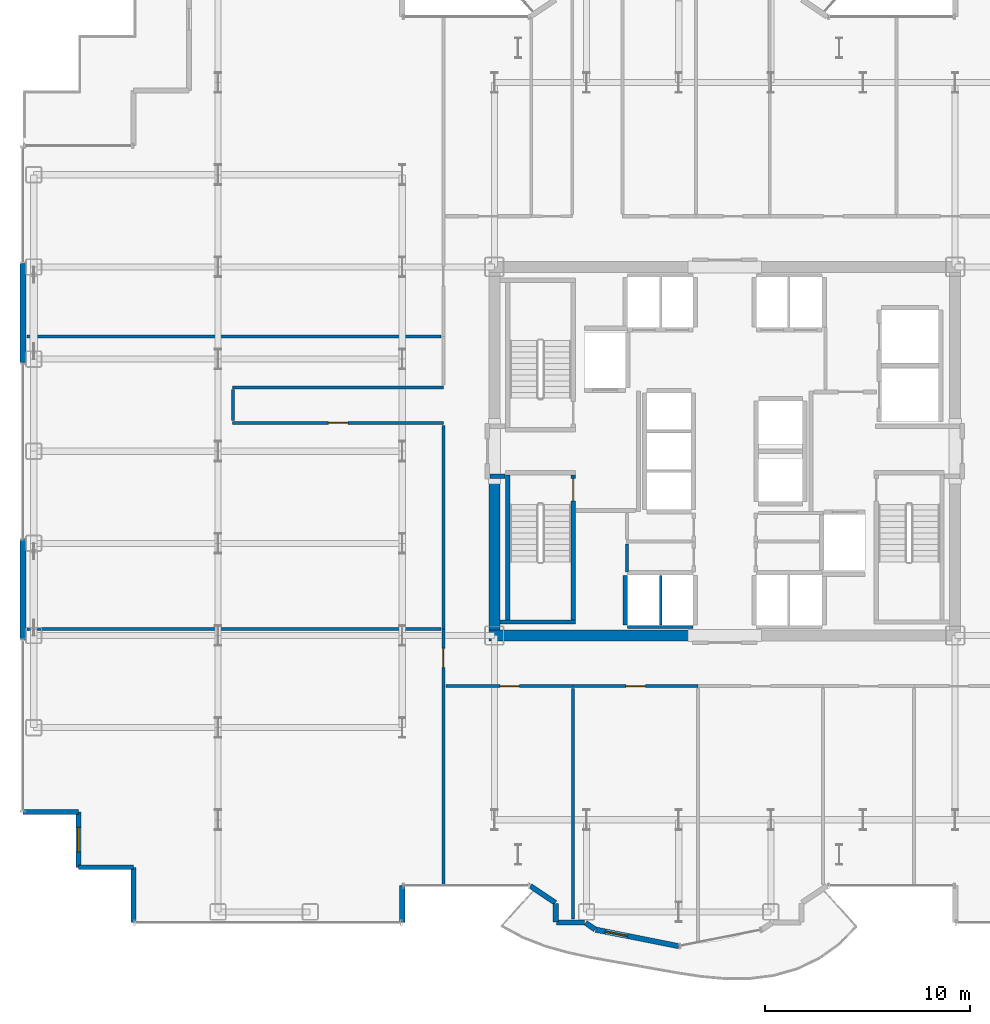
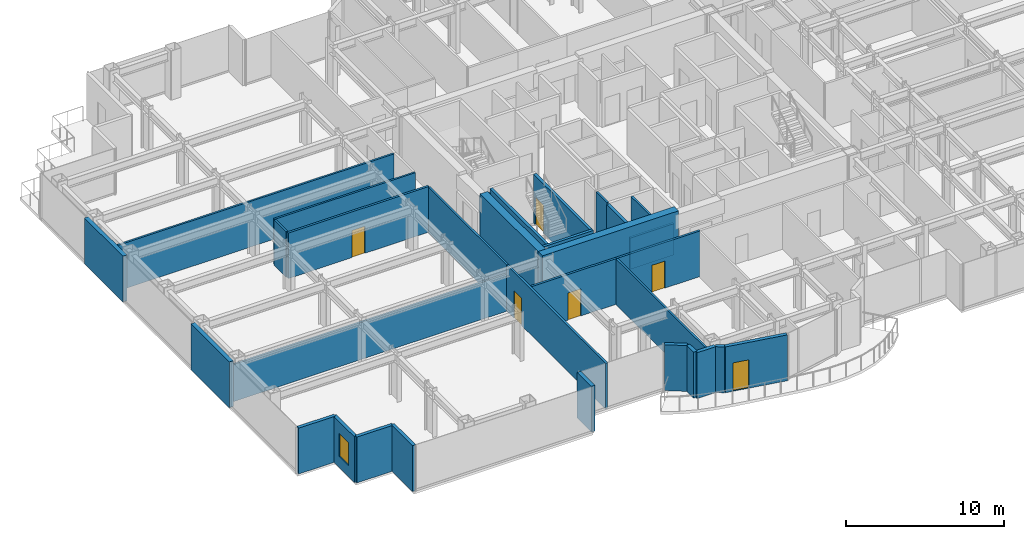
# One storey, part 22 of 29: 32 walls, 6 doors, 1 window, 7 openings.
"""IFC4 building model written with IfcOpenShell, lengths in metres."""

import ifcopenshell
import ifcopenshell.guid

model = None  # the IFC model being written
_history = None  # IfcOwnerHistory: only IFC2X3 demands one
_inside = {}  # id of a spatial element -> (the spatial element, [elements in it])
_under = {}  # id of a project, library or spatial element -> (it, [spatial elements below it])
_declared = {}  # id of a project -> (the project, [libraries it declares])
_typed = {}  # id of a type object -> (the type object, [elements of that type])
_made_of = {}  # id of a material, layer set ... -> (it, [elements and type objects made of it])


def new_model(schema):
    """Start an empty IFC model of exactly this schema.

    Asked for "IFC4X3", IfcOpenShell would pick the latest addendum, in which some entities
    have other attributes; the version numbers below select the first issue.
    IFC2X3 requires an IfcOwnerHistory on every rooted entity: one is made here for all.
    """
    global model, _history
    if schema == "IFC4X3":
        model = ifcopenshell.file(schema_version=(4, 3, 0, 0))
    else:
        model = ifcopenshell.file(schema=schema)
    _inside.clear()
    _under.clear()
    _declared.clear()
    _typed.clear()
    _made_of.clear()
    _history = None
    if model.schema == "IFC2X3":
        org = make("IfcOrganization", Name="unknown")
        user = make(
            "IfcPersonAndOrganization",
            ThePerson=make("IfcPerson", FamilyName="unknown"),
            TheOrganization=org,
        )
        app = make(
            "IfcApplication",
            ApplicationDeveloper=org,
            Version="unknown",
            ApplicationFullName="unknown",
            ApplicationIdentifier="unknown",
        )
        _history = make(
            "IfcOwnerHistory",
            OwningUser=user,
            OwningApplication=app,
            ChangeAction="ADDED",
            CreationDate=0,
        )
    return model


def make(cls, **values):
    """One entity of the class cls with the attributes given. An attribute that is None is left unset."""
    return model.create_entity(
        cls, **{name: value for name, value in values.items() if value is not None}
    )


def rooted(cls, **values):
    """An entity with a GlobalId (a new one), such as an element, a storey or a relation."""
    return make(cls, GlobalId=ifcopenshell.guid.new(), OwnerHistory=_history, **values)


def si_unit(unit_type, name, prefix=None):
    """IfcSIUnit, for example si_unit("LENGTHUNIT", "METRE", prefix="MILLI")."""
    return make("IfcSIUnit", UnitType=unit_type, Prefix=prefix, Name=name)


def assignment(units):
    """IfcUnitAssignment: the units of a project."""
    return None if units is None else make("IfcUnitAssignment", Units=units)


def point(xyz):
    """IfcCartesianPoint."""
    return None if xyz is None else make("IfcCartesianPoint", Coordinates=xyz)


def direction(xyz):
    """IfcDirection."""
    return None if xyz is None else make("IfcDirection", DirectionRatios=xyz)


def frame(location, z_axis=None, x_axis=None):
    """IfcAxis2Placement3D, a coordinate frame: its origin and axes. An axis left out is left unset."""
    return make(
        "IfcAxis2Placement3D",
        Location=point(location),
        Axis=direction(z_axis),
        RefDirection=direction(x_axis),
    )


def frame_2d(location, x_axis=None):
    """IfcAxis2Placement2D, a coordinate frame in the plane: its origin and x axis."""
    return make(
        "IfcAxis2Placement2D", Location=point(location), RefDirection=direction(x_axis)
    )


def origin():
    """The frame at (0, 0, 0) with its axes left unset."""
    return frame((0.0, 0.0, 0.0))


def place(relative_to, where):
    """IfcLocalPlacement: puts the frame where relative to a parent placement (None: the world)."""
    return make(
        "IfcLocalPlacement", PlacementRelTo=relative_to, RelativePlacement=where
    )


def context(
    kind, dimensions, precision=None, world=None, true_north=None, identifier=None
):
    """IfcGeometricRepresentationContext, for example the 3D "Model" context."""
    return make(
        "IfcGeometricRepresentationContext",
        ContextIdentifier=identifier,
        ContextType=kind,
        CoordinateSpaceDimension=dimensions,
        Precision=precision,
        WorldCoordinateSystem=world,
        TrueNorth=true_north,
    )


def subcontext(parent, identifier, kind, view, scale=None):
    """IfcGeometricRepresentationSubContext, for example "Body" below "Model"."""
    return make(
        "IfcGeometricRepresentationSubContext",
        ContextIdentifier=identifier,
        ContextType=kind,
        ParentContext=parent,
        TargetScale=scale,
        TargetView=view,
    )


def project(units=None, contexts=None):
    """IfcProject with its units and contexts."""
    return rooted(
        "IfcProject",
        Name="project",
        RepresentationContexts=contexts,
        UnitsInContext=assignment(units),
    )


def spatial(cls, under=None, at=None, **own):
    """A site, building, storey or space (cls), placed at a placement, below another one or the project."""
    s = rooted(cls, ObjectPlacement=at, **own)
    if under is not None:
        _under.setdefault(under.id(), (under, []))[1].append(s)
    return s


def profile(cls, at=None, kind="AREA", **sizes):
    """A parametric profile (cls). Its sizes go by their IFC names, for example OverallWidth=200.0."""
    return make(cls, ProfileType=kind, Position=at, **sizes)


def rectangle(**sizes):
    """IfcRectangleProfileDef."""
    return profile("IfcRectangleProfileDef", **sizes)


def extrude(swept, where, along, depth):
    """IfcExtrudedAreaSolid: the profile swept, set in the frame where, extruded along a direction by depth."""
    return make(
        "IfcExtrudedAreaSolid",
        SweptArea=swept,
        Position=where,
        ExtrudedDirection=direction(along),
        Depth=depth,
    )


def shape(context_of_items, identifier, shape_type, items):
    """IfcShapeRepresentation: the items that make up one representation, for example the "Body"."""
    return make(
        "IfcShapeRepresentation",
        ContextOfItems=context_of_items,
        RepresentationIdentifier=identifier,
        RepresentationType=shape_type,
        Items=items,
    )


def source(mapping_origin, context_of_items, identifier, shape_type, items):
    """IfcRepresentationMap: a shape defined once, which mapped items show again and again."""
    return make(
        "IfcRepresentationMap",
        MappingOrigin=mapping_origin,
        MappedRepresentation=shape(context_of_items, identifier, shape_type, items),
    )


def transform(
    local_origin,
    x_axis=None,
    y_axis=None,
    z_axis=None,
    scale=None,
    scale2=None,
    scale3=None,
    uniform=True,
):
    """IfcCartesianTransformationOperator3D, or its non-uniform kind. x_axis, y_axis, z_axis: its Axis1, 2, 3."""
    if uniform:
        return make(
            "IfcCartesianTransformationOperator3D",
            Axis1=direction(x_axis),
            Axis2=direction(y_axis),
            LocalOrigin=point(local_origin),
            Scale=scale,
            Axis3=direction(z_axis),
        )
    return make(
        "IfcCartesianTransformationOperator3DnonUniform",
        Axis1=direction(x_axis),
        Axis2=direction(y_axis),
        LocalOrigin=point(local_origin),
        Scale=scale,
        Axis3=direction(z_axis),
        Scale2=scale2,
        Scale3=scale3,
    )


def mapped(mapping_source, mapping_target):
    """IfcMappedItem: shows the shape of a source again, moved by a transform."""
    return make(
        "IfcMappedItem", MappingSource=mapping_source, MappingTarget=mapping_target
    )


def material(Name=None, Category=None):
    """IfcMaterial."""
    return make("IfcMaterial", Name=Name, Category=Category)


def layer(
    of_material, thickness, ventilated=None, Name=None, Category=None, Priority=None
):
    """IfcMaterialLayer: one layer of a wall or slab, of a material (None: an air gap)."""
    return make(
        "IfcMaterialLayer",
        Material=of_material,
        LayerThickness=thickness,
        IsVentilated=ventilated,
        Name=Name,
        Category=Category,
        Priority=Priority,
    )


def layer_set(layers, Name=None):
    """IfcMaterialLayerSet."""
    return make("IfcMaterialLayerSet", MaterialLayers=layers, LayerSetName=Name)


def made_of(thing, what):
    """Note that an element or type object is made of a material, layer set ...; save() writes the relation."""
    if what is not None:
        _made_of.setdefault(what.id(), (what, []))[1].append(thing)
    return thing


def type_object(cls, material=None, **own):
    """A type object (cls), such as IfcWallType, which elements share."""
    return made_of(rooted(cls, **own), material)


def element(
    cls,
    number,
    at=None,
    inside=None,
    cuts=None,
    type_object=None,
    material=None,
    context=None,
    identifier="Body",
    shape_type=None,
    held_by="IfcProductDefinitionShape",
    body=None,
    shapes=None,
    **own,
):
    """One element of the class cls, such as IfcWall. Its Tag is "e" and its number.

    at: its placement. inside: the storey or other place that contains it. cuts: it is an
    opening in that element (IfcRelVoidsElement). A single representation is given by context,
    identifier, shape_type and body (its items); several are given by shapes. held_by: the class
    of the entity that holds the representations. save() writes the other relations.
    """
    e = rooted(cls, Tag="e%d" % number, ObjectPlacement=at, **own)
    if body is not None:
        shapes = [shape(context, identifier, shape_type, body)]
    if shapes is not None:
        e.Representation = make(held_by, Representations=shapes)
    if inside is not None:
        _inside.setdefault(inside.id(), (inside, []))[1].append(e)
    if cuts is not None:
        rooted(
            "IfcRelVoidsElement", RelatingBuildingElement=cuts, RelatedOpeningElement=e
        )
    if type_object is not None:
        _typed.setdefault(type_object.id(), (type_object, []))[1].append(e)
    return made_of(e, material)


def fill(opening, filler):
    """IfcRelFillsElement: the door or window that sits in an opening."""
    return rooted(
        "IfcRelFillsElement",
        RelatingOpeningElement=opening,
        RelatedBuildingElement=filler,
    )


def aggregate(whole, parts):
    """IfcRelAggregates: a whole, such as a stair, and the parts it consists of."""
    return rooted("IfcRelAggregates", RelatingObject=whole, RelatedObjects=parts)


def save(model, path):
    """Write the relations noted so far, then the file.

    IfcRelAggregates (storeys below a building ...), IfcRelContainedInSpatialStructure (elements
    in a storey), IfcRelDefinesByType, IfcRelAssociatesMaterial and IfcRelDeclares: one each for
    every whole, place, type object, material and project.
    """
    for whole, parts in _under.values():
        aggregate(whole, parts)
    for where, things in _inside.values():
        rooted(
            "IfcRelContainedInSpatialStructure",
            RelatedElements=things,
            RelatingStructure=where,
        )
    for kind, things in _typed.values():
        rooted("IfcRelDefinesByType", RelatedObjects=things, RelatingType=kind)
    for what, things in _made_of.values():
        rooted("IfcRelAssociatesMaterial", RelatedObjects=things, RelatingMaterial=what)
    for by, libraries in _declared.values():
        rooted("IfcRelDeclares", RelatingContext=by, RelatedDefinitions=libraries)
    model.write(path)


model = new_model("IFC4")

# Units and contexts
model_context = context("Model", 3, precision=1e-05, world=origin(), true_north=direction((0.0, 1.0)))
body_context = subcontext(model_context, "Body", "Model", "MODEL_VIEW")
ifc_project = project(units=[si_unit("LENGTHUNIT", "METRE"), si_unit("AREAUNIT", "SQUARE_METRE"), si_unit("VOLUMEUNIT", "CUBIC_METRE"), si_unit("PLANEANGLEUNIT", "RADIAN"), si_unit("MASSUNIT", "GRAM", prefix="KILO")], contexts=[model_context])

# Site, building, storey
site_placement = place(None, origin())
site = spatial("IfcSite", under=ifc_project, at=site_placement, CompositionType="ELEMENT")
building_placement = place(site_placement, origin())
building = spatial("IfcBuilding", under=site, at=building_placement, Name="Nefas-Gora Pilgrimage Tower", CompositionType="ELEMENT")
storey_placement = place(building_placement, frame((0.0, 0.0, 125.0)))
storey = spatial("IfcBuildingStorey", under=building, at=storey_placement, Name="L30", CompositionType="ELEMENT", Elevation=125.0)

# Walls
ifc_material_1 = material(Name="Concrete C60/75", Category="concrete")
ifc_layer_1 = layer(ifc_material_1, 0.550048828125)
ifc_layer_set_1 = layer_set([ifc_layer_1], Name="Concrete C60/75")
wall_type_1 = type_object("IfcWallType", Name="SW-CORE-550", PredefinedType="SHEAR", material=ifc_layer_set_1)
shared_shape_1 = source(origin(), body_context, "Body", "SweptSolid", [
    extrude(rectangle(XDim=9.974853515625, YDim=0.550048828125, at=frame_2d((4.9873046875, 0.0))), origin(), (0.0, 0.0, 1.0), 3.800048828125),
])
wall_1_placement = place(storey_placement, frame((-11.52490234375, -9.0, 0.0), z_axis=(0.0, 0.0, 1.0), x_axis=(1.0, 0.0, 0.0)))
element("IfcWall", 1, at=wall_1_placement, inside=storey, type_object=wall_type_1, Name="L30 Core Shear Wall S-West", PredefinedType="SHEAR", context=body_context, shape_type="MappedRepresentation", body=[
    mapped(shared_shape_1, transform((0.0, 0.0, 0.0), x_axis=(1.0, 0.0, 0.0), y_axis=(0.0, 1.0, 0.0), z_axis=(0.0, 0.0, 1.0), scale=1.0)),
])
shared_shape_2 = source(origin(), body_context, "Body", "SweptSolid", [
    extrude(rectangle(XDim=7.375, YDim=0.550048828125, at=frame_2d((3.6875, 0.0))), origin(), (0.0, 0.0, 1.0), 3.800048828125),
])
wall_2_placement = place(storey_placement, frame((-11.25, -8.72509765625, 0.0), z_axis=(0.0, 0.0, 1.0), x_axis=(0.0, 1.0, 0.0)))
element("IfcWall", 2, at=wall_2_placement, inside=storey, type_object=wall_type_1, Name="L30 Core Shear Wall W-South", PredefinedType="SHEAR", context=body_context, shape_type="MappedRepresentation", body=[
    mapped(shared_shape_2, transform((0.0, 0.0, 0.0), x_axis=(1.0, 0.0, 0.0), y_axis=(0.0, 1.0, 0.0), z_axis=(0.0, 0.0, 1.0), scale=1.0)),
])
ifc_material_2 = material(Name="Precast concrete C45/55", Category="concrete")
ifc_layer_2 = layer(ifc_material_2, 0.239990234375)
ifc_layer_set_2 = layer_set([ifc_layer_2], Name="Precast concrete C45/55")
wall_type_2 = type_object("IfcWallType", Name="EW-SERR-240", PredefinedType="SHEAR", material=ifc_layer_set_2)
shared_shape_3 = source(origin(), body_context, "Body", "SweptSolid", [
    extrude(rectangle(XDim=4.8798828125, YDim=0.300048828125, at=frame_2d((2.43994140625, 0.0))), origin(), (0.0, 0.0, 1.0), 3.550048828125),
])
for number, where, z_axis, x_axis, name in (
    (3, (-34.27001953125, -9.18994140625, 0.0), (0.0, 0.0, 1.0), (0.0, 1.0, 0.0), "L30 Braced-Tube Precast Shear Cladding 1"),
    (4, (-34.27001953125, 4.31005859375, 0.0), (0.0, 0.0, 1.0), (0.0, 1.0, 0.0), "L30 Braced-Tube Precast Shear Cladding 2"),
):
    element("IfcWall", number, at=place(storey_placement, frame(where, z_axis=z_axis, x_axis=x_axis)), inside=storey, type_object=wall_type_2, Name=name, PredefinedType="SHEAR", context=body_context, shape_type="MappedRepresentation", body=[
        mapped(shared_shape_3, transform((0.0, 0.0, 0.0), x_axis=(1.0, 0.0, 0.0), y_axis=(0.0, 1.0, 0.0), z_axis=(0.0, 0.0, 1.0), scale=1.0)),
    ])
ifc_material_3 = material(Name="Precast concrete C40/50", Category="concrete")
ifc_layer_3 = layer(ifc_material_3, 0.260009765625)
ifc_layer_set_3 = layer_set([ifc_layer_3], Name="Precast concrete C40/50")
wall_type_3 = type_object("IfcWallType", Name="EW-PORTAL-260", PredefinedType="SOLIDWALL", material=ifc_layer_set_3)
shared_shape_4 = source(origin(), body_context, "Body", "SweptSolid", [
    extrude(rectangle(XDim=1.800048828125, YDim=0.260009765625, at=frame_2d((0.89990234375, 0.0))), origin(), (0.0, 0.0, 1.0), 3.550048828125),
])
wall_3_placement = place(storey_placement, frame((-15.75, -23.02001953125, 0.0), z_axis=(0.0, 0.0, 1.0), x_axis=(0.0, 1.0, 0.0)))
element("IfcWall", 5, at=wall_3_placement, inside=storey, type_object=wall_type_3, Name="L30 Lobe Shoulder Precast Spandrel Pier 32", PredefinedType="SOLIDWALL", context=body_context, shape_type="MappedRepresentation", body=[
    mapped(shared_shape_4, transform((0.0, 0.0, 0.0), x_axis=(1.0, 0.0, 0.0), y_axis=(0.0, 1.0, 0.0), z_axis=(0.0, 0.0, 1.0), scale=1.0)),
])
shared_shape_5 = source(origin(), body_context, "Body", "SweptSolid", [
    extrude(rectangle(XDim=2.699951171875, YDim=0.239990234375, at=frame_2d((1.35009765625, 0.0))), origin(), (0.0, 0.0, 1.0), 3.550048828125),
])
wall_4_placement = place(storey_placement, frame((-34.27001953125, -17.6201171875, 0.0), z_axis=(0.0, 0.0, 1.0), x_axis=(1.0, 0.0, 0.0)))
element("IfcWall", 6, at=wall_4_placement, inside=storey, type_object=wall_type_2, Name="L30 Serrated Corner Shear Pier Wall 28", PredefinedType="SHEAR", context=body_context, shape_type="MappedRepresentation", body=[
    mapped(shared_shape_5, transform((0.0, 0.0, 0.0), x_axis=(1.0, 0.0, 0.0), y_axis=(0.0, 1.0, 0.0), z_axis=(0.0, 0.0, 1.0), scale=1.0)),
])

# Wall, opening, window
wall_5_placement = place(storey_placement, frame((-31.570068359375, -17.6201171875, 0.0), z_axis=(0.0, 0.0, 1.0), x_axis=(0.0, -1.0, 0.0)))
wall_5 = element("IfcWall", 7, at=wall_5_placement, inside=storey, type_object=wall_type_2, Name="L30 Serrated Corner Shear Pier Wall 29", PredefinedType="SHEAR", context=body_context, shape_type="MappedRepresentation", body=[
    mapped(shared_shape_5, transform((0.0, 0.0, 0.0), x_axis=(1.0, 0.0, 0.0), y_axis=(0.0, 1.0, 0.0), z_axis=(0.0, 0.0, 1.0), scale=1.0)),
])
opening_1_placement = place(wall_5_placement, frame((0.75, 0.0, 0.85009765625)))
opening_1 = element("IfcOpeningElement", 8, at=opening_1_placement, cuts=wall_5, Name="Opening W-V1", PredefinedType="OPENING", context=body_context, shape_type="SweptSolid", body=[
    extrude(rectangle(XDim=1.199951171875, YDim=1.800048828125, at=frame_2d((0.60009765625, 0.89990234375))), frame((0.0, 0.1298828125, 0.0), z_axis=(0.0, -1.0, 0.0), x_axis=(1.0, 0.0, 0.0)), (0.0, 0.0, 1.0), 0.260009765625),
])
ifc_material_4 = material(Name="Dark ceramic-fritted operable aluminium-glass window", Category="aluminium")
window_type = type_object("IfcWindowType", Name="WIN-VENT-1200x1800", PartitioningType="SINGLE_PANEL", PredefinedType="WINDOW", material=ifc_material_4)
shared_shape_6 = source(origin(), body_context, "Body", "SweptSolid", [
    extrude(rectangle(XDim=1.199951171875, YDim=1.800048828125, at=frame_2d((0.60009765625, 0.89990234375))), frame((0.0, 0.030029296875, 0.0), z_axis=(0.0, -1.0, 0.0), x_axis=(1.0, 0.0, 0.0)), (0.0, 0.0, 1.0), 0.06005859375),
])
window_placement = place(opening_1_placement, origin())
window = element("IfcWindow", 9, at=window_placement, inside=storey, type_object=window_type, Name="L30 Operable Parallel-Outswing Window 29", OverallHeight=1.800048828125, OverallWidth=1.199951171875, PartitioningType="SINGLE_PANEL", PredefinedType="WINDOW", context=body_context, shape_type="MappedRepresentation", body=[
    mapped(shared_shape_6, transform((0.0, 0.0, 0.0), x_axis=(1.0, 0.0, 0.0), y_axis=(0.0, 1.0, 0.0), z_axis=(0.0, 0.0, 1.0), scale=1.0)),
])
fill(opening_1, window)

# Walls
for number, where, z_axis, x_axis, name in (
    (10, (-31.570068359375, -20.320068359375, 0.0), (0.0, 0.0, 1.0), (1.0, 0.0, 0.0), "L30 Serrated Corner Shear Pier Wall 30"),
    (11, (-28.8701171875, -20.320068359375, 0.0), (0.0, 0.0, 1.0), (0.0, -1.0, 0.0), "L30 Serrated Corner Shear Pier Wall 31"),
):
    element("IfcWall", number, at=place(storey_placement, frame(where, z_axis=z_axis, x_axis=x_axis)), inside=storey, type_object=wall_type_2, Name=name, PredefinedType="SHEAR", context=body_context, shape_type="MappedRepresentation", body=[
        mapped(shared_shape_5, transform((0.0, 0.0, 0.0), x_axis=(1.0, 0.0, 0.0), y_axis=(0.0, 1.0, 0.0), z_axis=(0.0, 0.0, 1.0), scale=1.0)),
    ])
shared_shape_7 = source(origin(), body_context, "Body", "SweptSolid", [
    extrude(rectangle(XDim=1.468994140625, YDim=0.260009765625, at=frame_2d((0.734375, 0.0))), origin(), (0.0, 0.0, 1.0), 3.550048828125),
])
wall_6_placement = place(storey_placement, frame((-9.49462890625, -21.235595703125, 0.0), z_axis=(0.0, 0.0, 1.0), x_axis=(0.831461760506, -0.555581983884, 0.0)))
element("IfcWall", 12, at=wall_6_placement, inside=storey, type_object=wall_type_3, Name="L30 Lobe Shoulder Precast Spandrel Pier 33", PredefinedType="SOLIDWALL", context=body_context, shape_type="MappedRepresentation", body=[
    mapped(shared_shape_7, transform((0.0, 0.0, 0.0), x_axis=(1.0, 0.0, 0.0), y_axis=(0.0, 1.0, 0.0), z_axis=(0.0, 0.0, 1.0), scale=1.0)),
])
shared_shape_8 = source(origin(), body_context, "Body", "SweptSolid", [
    extrude(rectangle(XDim=0.896728515625, YDim=0.260009765625, at=frame_2d((0.4482421875, 0.0))), origin(), (0.0, 0.0, 1.0), 3.550048828125),
])
wall_7_placement = place(storey_placement, frame((-8.25, -22.09521484375, 0.0), z_axis=(0.0, 0.0, 1.0), x_axis=(0.0, -1.0, 0.0)))
element("IfcWall", 13, at=wall_7_placement, inside=storey, type_object=wall_type_3, Name="L30 Lobe Shoulder Precast Spandrel Pier 34", PredefinedType="SOLIDWALL", context=body_context, shape_type="MappedRepresentation", body=[
    mapped(shared_shape_8, transform((0.0, 0.0, 0.0), x_axis=(1.0, 0.0, 0.0), y_axis=(0.0, 1.0, 0.0), z_axis=(0.0, 0.0, 1.0), scale=1.0)),
])
shared_shape_9 = source(origin(), body_context, "Body", "SweptSolid", [
    extrude(rectangle(XDim=1.369873046875, YDim=0.260009765625, at=frame_2d((0.68505859375, 0.0))), origin(), (0.0, 0.0, 1.0), 3.550048828125),
])
wall_8_placement = place(storey_placement, frame((-8.221923828125, -23.02001953125, 0.0), z_axis=(0.0, 0.0, 1.0), x_axis=(1.0, 0.0, 0.0)))
element("IfcWall", 14, at=wall_8_placement, inside=storey, type_object=wall_type_3, Name="L30 Lobe Shoulder Precast Spandrel Pier 35", PredefinedType="SOLIDWALL", context=body_context, shape_type="MappedRepresentation", body=[
    mapped(shared_shape_9, transform((0.0, 0.0, 0.0), x_axis=(1.0, 0.0, 0.0), y_axis=(0.0, 1.0, 0.0), z_axis=(0.0, 0.0, 1.0), scale=1.0)),
])
shared_shape_10 = source(origin(), body_context, "Body", "SweptSolid", [
    extrude(rectangle(XDim=0.5654296875, YDim=0.260009765625, at=frame_2d((0.28271484375, 0.0))), origin(), (0.0, 0.0, 1.0), 3.550048828125),
])
wall_9_placement = place(storey_placement, frame((-6.80078125, -23.03564453125, 0.0), z_axis=(0.0, 0.0, 1.0), x_axis=(0.831651492666, -0.555297933317, 0.0)))
element("IfcWall", 15, at=wall_9_placement, inside=storey, type_object=wall_type_3, Name="L30 Lobe Shoulder Precast Spandrel Pier 36", PredefinedType="SOLIDWALL", context=body_context, shape_type="MappedRepresentation", body=[
    mapped(shared_shape_10, transform((0.0, 0.0, 0.0), x_axis=(1.0, 0.0, 0.0), y_axis=(0.0, 1.0, 0.0), z_axis=(0.0, 0.0, 1.0), scale=1.0)),
])

# Wall, opening, door
shared_shape_11 = source(origin(), body_context, "Body", "SweptSolid", [
    extrude(rectangle(XDim=4.136962890625, YDim=0.260009765625, at=frame_2d((2.068359375, 0.0))), origin(), (0.0, 0.0, 1.0), 3.550048828125),
])
wall_10_placement = place(storey_placement, frame((-6.307373046875, -23.365234375, 0.0), z_axis=(0.0, 0.0, 1.0), x_axis=(0.980782170794, -0.195105954428, 0.0)))
wall_10 = element("IfcWall", 16, at=wall_10_placement, inside=storey, type_object=wall_type_3, Name="L30 Insulated Terrace Portal Wall 37", PredefinedType="SOLIDWALL", context=body_context, shape_type="MappedRepresentation", body=[
    mapped(shared_shape_11, transform((0.0, 0.0, 0.0), x_axis=(1.0, 0.0, 0.0), y_axis=(0.0, 1.0, 0.0), z_axis=(0.0, 0.0, 1.0), scale=1.0)),
])
opening_2_placement = place(wall_10_placement, frame((0.48779296875, 0.0, 0.0)))
opening_2 = element("IfcOpeningElement", 17, at=opening_2_placement, cuts=wall_10, Name="Opening ED-B1", PredefinedType="OPENING", context=body_context, shape_type="SweptSolid", body=[
    extrude(rectangle(XDim=1.10009765625, YDim=2.199951171875, at=frame_2d((0.550048828125, 1.10009765625))), frame((0.0, 0.139892578125, 0.0), z_axis=(0.0, -1.0, 0.0), x_axis=(1.0, 0.0, 0.0)), (0.0, 0.0, 1.0), 0.280029296875),
])
ifc_material_5 = material(Name="Thermally broken glazed aluminium balcony door", Category="aluminium")
door_type_1 = type_object("IfcDoorType", Name="DR-EXT-BAL-1100", OperationType="NOTDEFINED", PredefinedType="DOOR", material=ifc_material_5)
shared_shape_12 = source(origin(), body_context, "Body", "SweptSolid", [
    extrude(rectangle(XDim=1.10009765625, YDim=2.199951171875, at=frame_2d((0.550048828125, 1.10009765625))), frame((0.0, 0.02490234375, 0.0), z_axis=(0.0, -1.0, 0.0), x_axis=(1.0, 0.0, 0.0)), (0.0, 0.0, 1.0), 0.050048828125),
])
door_1_placement = place(opening_2_placement, origin())
door_1 = element("IfcDoor", 18, at=door_1_placement, inside=storey, type_object=door_type_1, Name="L30 Exterior Door (L30 S Lobe Wave Balcony)", OperationType="SINGLE_SWING_RIGHT", OverallHeight=2.199951171875, OverallWidth=1.10009765625, PredefinedType="DOOR", context=body_context, shape_type="MappedRepresentation", body=[
    mapped(shared_shape_12, transform((0.0, 0.0, 0.0), x_axis=(1.0, 0.0, 0.0), y_axis=(0.0, 1.0, 0.0), z_axis=(0.0, 0.0, 1.0), scale=1.0)),
])
fill(opening_2, door_1)

# Wall
ifc_material_6 = material(Name="Concrete C45/55", Category="concrete")
ifc_layer_4 = layer(ifc_material_6, 0.199951171875)
ifc_layer_set_4 = layer_set([ifc_layer_4], Name="Concrete C45/55")
wall_type_4 = type_object("IfcWallType", Name="IW-STAIR-200", PredefinedType="SOLIDWALL", material=ifc_layer_set_4)
shared_shape_13 = source(origin(), body_context, "Body", "SweptSolid", [
    extrude(rectangle(XDim=7.10009765625, YDim=0.199951171875, at=frame_2d((3.550048828125, 0.0))), origin(), (0.0, 0.0, 1.0), 3.800048828125),
])
wall_11_placement = place(storey_placement, frame((-10.60009765625, -1.14990234375, 0.0), z_axis=(0.0, 0.0, 1.0), x_axis=(0.0, -1.0, 0.0)))
element("IfcWall", 19, at=wall_11_placement, inside=storey, type_object=wall_type_4, Name="L30 Stairwell Shear Wall ST-03-left", PredefinedType="SOLIDWALL", context=body_context, shape_type="MappedRepresentation", body=[
    mapped(shared_shape_13, transform((0.0, 0.0, 0.0), x_axis=(1.0, 0.0, 0.0), y_axis=(0.0, 1.0, 0.0), z_axis=(0.0, 0.0, 1.0), scale=1.0)),
])

# Wall, opening, door
wall_12_placement = place(storey_placement, frame((-7.39990234375, -1.14990234375, 0.0), z_axis=(0.0, 0.0, 1.0), x_axis=(0.0, -1.0, 0.0)))
wall_12 = element("IfcWall", 20, at=wall_12_placement, inside=storey, type_object=wall_type_4, Name="L30 Stairwell Shear Wall ST-03-right", PredefinedType="SOLIDWALL", context=body_context, shape_type="MappedRepresentation", body=[
    mapped(shared_shape_13, transform((0.0, 0.0, 0.0), x_axis=(1.0, 0.0, 0.0), y_axis=(0.0, 1.0, 0.0), z_axis=(0.0, 0.0, 1.0), scale=1.0)),
])
opening_3_placement = place(wall_12_placement, frame((0.179931640625, 0.0, 0.0)))
opening_3 = element("IfcOpeningElement", 21, at=opening_3_placement, cuts=wall_12, Name="Opening ID-ST1", PredefinedType="OPENING", context=body_context, shape_type="SweptSolid", body=[
    extrude(rectangle(XDim=1.10009765625, YDim=2.14990234375, at=frame_2d((0.550048828125, 1.074951171875))), frame((0.0, 0.10986328125, 0.0), z_axis=(0.0, -1.0, 0.0), x_axis=(1.0, 0.0, 0.0)), (0.0, 0.0, 1.0), 0.219970703125),
])
ifc_material_7 = material(Name="Painted galvanised steel fire stair door", Category="steel")
door_type_2 = type_object("IfcDoorType", Name="DR-INT-STAIR-1100", OperationType="NOTDEFINED", PredefinedType="DOOR", material=ifc_material_7)
shared_shape_14 = source(origin(), body_context, "Body", "SweptSolid", [
    extrude(rectangle(XDim=1.10009765625, YDim=2.14990234375, at=frame_2d((0.550048828125, 1.074951171875))), frame((0.0, 0.02490234375, 0.0), z_axis=(0.0, -1.0, 0.0), x_axis=(1.0, 0.0, 0.0)), (0.0, 0.0, 1.0), 0.050048828125),
])
door_2_placement = place(opening_3_placement, origin())
door_2 = element("IfcDoor", 22, at=door_2_placement, inside=storey, type_object=door_type_2, Name="L30 Protected Exit Stair Door ST-03", OperationType="SINGLE_SWING_RIGHT", OverallHeight=2.14990234375, OverallWidth=1.10009765625, PredefinedType="DOOR", context=body_context, shape_type="MappedRepresentation", body=[
    mapped(shared_shape_14, transform((0.0, 0.0, 0.0), x_axis=(1.0, 0.0, 0.0), y_axis=(0.0, 1.0, 0.0), z_axis=(0.0, 0.0, 1.0), scale=1.0)),
])
fill(opening_3, door_2)

# Walls
shared_shape_15 = source(origin(), body_context, "Body", "SweptSolid", [
    extrude(rectangle(XDim=3.679931640625, YDim=0.199951171875, at=frame_2d((1.83984375, 0.0))), origin(), (0.0, 0.0, 1.0), 3.800048828125),
])
wall_13_placement = place(storey_placement, frame((-10.97998046875, -8.35009765625, 0.0), z_axis=(0.0, 0.0, 1.0), x_axis=(1.0, 0.0, 0.0)))
element("IfcWall", 23, at=wall_13_placement, inside=storey, type_object=wall_type_4, Name="L30 Stairwell Shear Wall ST-03-far", PredefinedType="SOLIDWALL", context=body_context, shape_type="MappedRepresentation", body=[
    mapped(shared_shape_15, transform((0.0, 0.0, 0.0), x_axis=(1.0, 0.0, 0.0), y_axis=(0.0, 1.0, 0.0), z_axis=(0.0, 0.0, 1.0), scale=1.0)),
])
ifc_material_8 = material(Name="Gypsum acoustic stud partition")
ifc_layer_5 = layer(ifc_material_8, 0.159912109375)
ifc_layer_set_5 = layer_set([ifc_layer_5], Name="Gypsum acoustic stud partition")
wall_type_5 = type_object("IfcWallType", Name="IW-CORR-160", PredefinedType="PARTITIONING", material=ifc_layer_set_5)
shared_shape_16 = source(origin(), body_context, "Body", "SweptSolid", [
    extrude(rectangle(XDim=3.199951171875, YDim=0.159912109375, at=frame_2d((1.60009765625, 0.0))), origin(), (0.0, 0.0, 1.0), 2.425048828125),
])
wall_14_placement = place(storey_placement, frame((-4.75, -8.580078125, 0.0), z_axis=(0.0, 0.0, 1.0), x_axis=(1.0, 0.0, 0.0)))
element("IfcWall", 24, at=wall_14_placement, inside=storey, type_object=wall_type_5, Name="L30 Hoistway Wall PL2-W-S", PredefinedType="PARTITIONING", context=body_context, shape_type="MappedRepresentation", body=[
    mapped(shared_shape_16, transform((0.0, 0.0, 0.0), x_axis=(1.0, 0.0, 0.0), y_axis=(0.0, 1.0, 0.0), z_axis=(0.0, 0.0, 1.0), scale=1.0)),
])
ifc_material_9 = material(Name="Concrete C40/50", Category="concrete")
ifc_layer_6 = layer(ifc_material_9, 0.219970703125)
ifc_layer_set_6 = layer_set([ifc_layer_6], Name="Concrete C40/50")
wall_type_6 = type_object("IfcWallType", Name="IW-SHAFT-220", PredefinedType="SOLIDWALL", material=ifc_layer_set_6)
shared_shape_17 = source(origin(), body_context, "Body", "SweptSolid", [
    extrude(rectangle(XDim=2.429931640625, YDim=0.219970703125, at=frame_2d((1.21484375, 0.0))), origin(), (0.0, 0.0, 1.0), 3.534912109375),
])
wall_15_placement = place(storey_placement, frame((-4.860107421875, -6.06005859375, 0.0), z_axis=(0.0, 0.0, 1.0), x_axis=(0.0, -1.0, 0.0)))
element("IfcWall", 25, at=wall_15_placement, inside=storey, type_object=wall_type_6, Name="L30 Hoistway Wall PL2-W-W", PredefinedType="SOLIDWALL", context=body_context, shape_type="MappedRepresentation", body=[
    mapped(shared_shape_17, transform((0.0, 0.0, 0.0), x_axis=(1.0, 0.0, 0.0), y_axis=(0.0, 1.0, 0.0), z_axis=(0.0, 0.0, 1.0), scale=1.0)),
])
ifc_material_10 = material(Name="Gypsum twin-stud partition")
ifc_layer_7 = layer(ifc_material_10, 0.139892578125)
ifc_layer_set_7 = layer_set([ifc_layer_7], Name="Gypsum twin-stud partition")
wall_type_7 = type_object("IfcWallType", Name="IW-UNIT-140", PredefinedType="PARTITIONING", material=ifc_layer_set_7)
shared_shape_18 = source(origin(), body_context, "Body", "SweptSolid", [
    extrude(rectangle(XDim=2.429931640625, YDim=0.139892578125, at=frame_2d((1.21484375, 0.0))), origin(), (0.0, 0.0, 1.0), 3.534912109375),
])
wall_16_placement = place(storey_placement, frame((-3.125, -8.489990234375, 0.0), z_axis=(0.0, 0.0, 1.0), x_axis=(0.0, 1.0, 0.0)))
element("IfcWall", 26, at=wall_16_placement, inside=storey, type_object=wall_type_7, Name="L30 Hoistway Wall PL2-W-DIV", PredefinedType="PARTITIONING", context=body_context, shape_type="MappedRepresentation", body=[
    mapped(shared_shape_18, transform((0.0, 0.0, 0.0), x_axis=(1.0, 0.0, 0.0), y_axis=(0.0, 1.0, 0.0), z_axis=(0.0, 0.0, 1.0), scale=1.0)),
])
ifc_material_11 = material(Name="Gypsum fire-rated shaftwall")
ifc_layer_8 = layer(ifc_material_11, 0.199951171875)
ifc_layer_set_8 = layer_set([ifc_layer_8], Name="Gypsum fire-rated shaftwall")
wall_type_8 = type_object("IfcWallType", Name="IW-FFLOB-200", PredefinedType="PARTITIONING", material=ifc_layer_set_8)
shared_shape_19 = source(origin(), body_context, "Body", "SweptSolid", [
    extrude(rectangle(XDim=0.719970703125, YDim=0.199951171875, at=frame_2d((0.35986328125, 0.0))), origin(), (0.0, 0.0, 1.0), 3.534912109375),
])
wall_17_placement = place(storey_placement, frame((-11.4599609375, -1.219970703125, 0.0), z_axis=(0.0, 0.0, 1.0), x_axis=(1.0, 0.0, 0.0)))
element("IfcWall", 27, at=wall_17_placement, inside=storey, type_object=wall_type_8, Name="L30 FF Lobby West Throat S Wall 7", PredefinedType="PARTITIONING", context=body_context, shape_type="MappedRepresentation", body=[
    mapped(shared_shape_19, transform((0.0, 0.0, 0.0), x_axis=(1.0, 0.0, 0.0), y_axis=(0.0, 1.0, 0.0), z_axis=(0.0, 0.0, 1.0), scale=1.0)),
])
shared_shape_20 = source(origin(), body_context, "Body", "SweptSolid", [
    extrude(rectangle(XDim=20.22998046875, YDim=0.139892578125, at=frame_2d((10.114990234375, 0.0))), origin(), (0.0, 0.0, 1.0), 3.534912109375),
])
wall_18_placement = place(storey_placement, frame((-34.080078125, 5.594970703125, 0.0), z_axis=(0.0, 0.0, 1.0), x_axis=(1.0, 0.0, 0.0)))
element("IfcWall", 28, at=wall_18_placement, inside=storey, type_object=wall_type_7, Name="L30 Pilgrim Floor Concierge Foyer Partition Wall 34", PredefinedType="PARTITIONING", context=body_context, shape_type="MappedRepresentation", body=[
    mapped(shared_shape_20, transform((0.0, 0.0, 0.0), x_axis=(1.0, 0.0, 0.0), y_axis=(0.0, 1.0, 0.0), z_axis=(0.0, 0.0, 1.0), scale=1.0)),
])
shared_shape_21 = source(origin(), body_context, "Body", "SweptSolid", [
    extrude(rectangle(XDim=1.369873046875, YDim=0.139892578125, at=frame_2d((0.68505859375, 0.0))), origin(), (0.0, 0.0, 1.0), 3.534912109375),
])
wall_19_placement = place(storey_placement, frame((-4.780029296875, -5.889892578125, 0.0), z_axis=(0.0, 0.0, 1.0), x_axis=(0.0, 1.0, 0.0)))
element("IfcWall", 29, at=wall_19_placement, inside=storey, type_object=wall_type_7, Name="L30 Guest Self-Service Laundry Room Partition Wall 20", PredefinedType="PARTITIONING", context=body_context, shape_type="MappedRepresentation", body=[
    mapped(shared_shape_21, transform((0.0, 0.0, 0.0), x_axis=(1.0, 0.0, 0.0), y_axis=(0.0, 1.0, 0.0), z_axis=(0.0, 0.0, 1.0), scale=1.0)),
])
shared_shape_22 = source(origin(), body_context, "Body", "SweptSolid", [
    extrude(rectangle(XDim=11.260009765625, YDim=0.139892578125, at=frame_2d((5.6298828125, 0.0))), origin(), (0.0, 0.0, 1.0), 3.534912109375),
])
wall_20_placement = place(storey_placement, frame((-7.405029296875, -22.85009765625, 0.0), z_axis=(0.0, 0.0, 1.0), x_axis=(0.0, 1.0, 0.0)))
element("IfcWall", 30, at=wall_20_placement, inside=storey, type_object=wall_type_7, Name="L30 Pilgrim Contemplative Lounge Partition Wall 58", PredefinedType="PARTITIONING", context=body_context, shape_type="MappedRepresentation", body=[
    mapped(shared_shape_22, transform((0.0, 0.0, 0.0), x_axis=(1.0, 0.0, 0.0), y_axis=(0.0, 1.0, 0.0), z_axis=(0.0, 0.0, 1.0), scale=1.0)),
])

# Wall, opening, door
shared_shape_23 = source(origin(), body_context, "Body", "SweptSolid", [
    extrude(rectangle(XDim=6.22509765625, YDim=0.159912109375, at=frame_2d((3.112548828125, 0.0))), origin(), (0.0, 0.0, 1.0), 3.534912109375),
])
wall_21_placement = place(storey_placement, frame((-13.6201171875, -11.469970703125, 0.0), z_axis=(0.0, 0.0, 1.0), x_axis=(1.0, 0.0, 0.0)))
wall_21 = element("IfcWall", 31, at=wall_21_placement, inside=storey, type_object=wall_type_5, Name="L30 Pilgrim Contemplative Lounge Partition Wall 57", PredefinedType="PARTITIONING", context=body_context, shape_type="MappedRepresentation", body=[
    mapped(shared_shape_23, transform((0.0, 0.0, 0.0), x_axis=(1.0, 0.0, 0.0), y_axis=(0.0, 1.0, 0.0), z_axis=(0.0, 0.0, 1.0), scale=1.0)),
])
opening_4_placement = place(wall_21_placement, frame((2.637451171875, 0.0, 0.0)))
opening_4 = element("IfcOpeningElement", 32, at=opening_4_placement, cuts=wall_21, Name="Opening ID-GR1", PredefinedType="OPENING", context=body_context, shape_type="SweptSolid", body=[
    extrude(rectangle(XDim=0.949951171875, YDim=2.10009765625, at=frame_2d((0.47509765625, 1.050048828125))), frame((0.0, 0.08984375, 0.0), z_axis=(0.0, -1.0, 0.0), x_axis=(1.0, 0.0, 0.0)), (0.0, 0.0, 1.0), 0.179931640625),
])
ifc_material_12 = material(Name="Solid core oak fire-rated guest entrance door")
door_type_3 = type_object("IfcDoorType", Name="DR-INT-GUEST-950", OperationType="NOTDEFINED", PredefinedType="DOOR", material=ifc_material_12)
shared_shape_24 = source(origin(), body_context, "Body", "SweptSolid", [
    extrude(rectangle(XDim=0.949951171875, YDim=2.10009765625, at=frame_2d((0.47509765625, 1.050048828125))), frame((0.0, 0.02490234375, 0.0), z_axis=(0.0, -1.0, 0.0), x_axis=(1.0, 0.0, 0.0)), (0.0, 0.0, 1.0), 0.050048828125),
])
door_3_placement = place(opening_4_placement, origin())
door_3 = element("IfcDoor", 33, at=door_3_placement, inside=storey, type_object=door_type_3, Name="L30 Pilgrim Contemplative Lounge Door 25", OperationType="SINGLE_SWING_RIGHT", OverallHeight=2.10009765625, OverallWidth=0.949951171875, PredefinedType="DOOR", context=body_context, shape_type="MappedRepresentation", body=[
    mapped(shared_shape_24, transform((0.0, 0.0, 0.0), x_axis=(1.0, 0.0, 0.0), y_axis=(0.0, 1.0, 0.0), z_axis=(0.0, 0.0, 1.0), scale=1.0)),
])
fill(opening_4, door_3)

shared_shape_25 = source(origin(), body_context, "Body", "SweptSolid", [
    extrude(rectangle(XDim=10.31005859375, YDim=0.159912109375, at=frame_2d((5.155029296875, 0.0))), origin(), (0.0, 0.0, 1.0), 3.534912109375),
])
wall_22_placement = place(storey_placement, frame((-24.0400390625, 1.3798828125, 0.0), z_axis=(0.0, 0.0, 1.0), x_axis=(1.0, 0.0, 0.0)))
wall_22 = element("IfcWall", 34, at=wall_22_placement, inside=storey, type_object=wall_type_5, Name="L30 Pilgrim Floor Concierge Foyer Partition Wall 28", PredefinedType="PARTITIONING", context=body_context, shape_type="MappedRepresentation", body=[
    mapped(shared_shape_25, transform((0.0, 0.0, 0.0), x_axis=(1.0, 0.0, 0.0), y_axis=(0.0, 1.0, 0.0), z_axis=(0.0, 0.0, 1.0), scale=1.0)),
])
opening_5_placement = place(wall_22_placement, frame((4.679931640625, 0.0, 0.0)))
opening_5 = element("IfcOpeningElement", 35, at=opening_5_placement, cuts=wall_22, Name="Opening ID-GR1", PredefinedType="OPENING", context=body_context, shape_type="SweptSolid", body=[
    extrude(rectangle(XDim=0.949951171875, YDim=2.10009765625, at=frame_2d((0.47509765625, 1.050048828125))), frame((0.0, 0.08984375, 0.0), z_axis=(0.0, -1.0, 0.0), x_axis=(1.0, 0.0, 0.0)), (0.0, 0.0, 1.0), 0.179931640625),
])
door_4_placement = place(opening_5_placement, origin())
door_4 = element("IfcDoor", 36, at=door_4_placement, inside=storey, type_object=door_type_3, Name="L30 Pilgrim Floor Concierge Foyer Door 11", OperationType="SINGLE_SWING_RIGHT", OverallHeight=2.10009765625, OverallWidth=0.949951171875, PredefinedType="DOOR", context=body_context, shape_type="MappedRepresentation", body=[
    mapped(shared_shape_24, transform((0.0, 0.0, 0.0), x_axis=(1.0, 0.0, 0.0), y_axis=(0.0, 1.0, 0.0), z_axis=(0.0, 0.0, 1.0), scale=1.0)),
])
fill(opening_5, door_4)

# Walls
shared_shape_26 = source(origin(), body_context, "Body", "SweptSolid", [
    extrude(rectangle(XDim=10.31005859375, YDim=0.139892578125, at=frame_2d((5.155029296875, 0.0))), origin(), (0.0, 0.0, 1.0), 3.534912109375),
])
wall_23_placement = place(storey_placement, frame((-24.0400390625, 3.1201171875, 0.0), z_axis=(0.0, 0.0, 1.0), x_axis=(1.0, 0.0, 0.0)))
element("IfcWall", 37, at=wall_23_placement, inside=storey, type_object=wall_type_7, Name="L30 Pilgrim Floor Concierge Foyer Partition Wall 29", PredefinedType="PARTITIONING", context=body_context, shape_type="MappedRepresentation", body=[
    mapped(shared_shape_26, transform((0.0, 0.0, 0.0), x_axis=(1.0, 0.0, 0.0), y_axis=(0.0, 1.0, 0.0), z_axis=(0.0, 0.0, 1.0), scale=1.0)),
])
shared_shape_27 = source(origin(), body_context, "Body", "SweptSolid", [
    extrude(rectangle(XDim=9.947509765625, YDim=0.139892578125, at=frame_2d((4.9736328125, 0.0))), origin(), (0.0, 0.0, 1.0), 3.534912109375),
])
wall_24_placement = place(storey_placement, frame((-13.739990234375, -8.6875, 0.0), z_axis=(0.0, 0.0, 1.0), x_axis=(0.0, 1.0, 0.0)))
element("IfcWall", 38, at=wall_24_placement, inside=storey, type_object=wall_type_7, Name="L30 Pilgrim Floor Concierge Foyer Partition Wall 30", PredefinedType="PARTITIONING", context=body_context, shape_type="MappedRepresentation", body=[
    mapped(shared_shape_27, transform((0.0, 0.0, 0.0), x_axis=(1.0, 0.0, 0.0), y_axis=(0.0, 1.0, 0.0), z_axis=(0.0, 0.0, 1.0), scale=1.0)),
])
shared_shape_28 = source(origin(), body_context, "Body", "SweptSolid", [
    extrude(rectangle(XDim=1.510009765625, YDim=0.139892578125, at=frame_2d((0.7548828125, 0.0))), origin(), (0.0, 0.0, 1.0), 3.534912109375),
])
wall_25_placement = place(storey_placement, frame((-24.02001953125, 1.5, 0.0), z_axis=(0.0, 0.0, 1.0), x_axis=(0.0, 1.0, 0.0)))
element("IfcWall", 39, at=wall_25_placement, inside=storey, type_object=wall_type_7, Name="L30 Pilgrim Floor Concierge Foyer Partition Wall 32", PredefinedType="PARTITIONING", context=body_context, shape_type="MappedRepresentation", body=[
    mapped(shared_shape_28, transform((0.0, 0.0, 0.0), x_axis=(1.0, 0.0, 0.0), y_axis=(0.0, 1.0, 0.0), z_axis=(0.0, 0.0, 1.0), scale=1.0)),
])
shared_shape_29 = source(origin(), body_context, "Body", "SweptSolid", [
    extrude(rectangle(XDim=20.22998046875, YDim=0.139892578125, at=frame_2d((10.114990234375, 0.0))), origin(), (0.0, 0.0, 1.0), 2.875),
])
wall_26_placement = place(storey_placement, frame((-34.080078125, -8.677490234375, 0.0), z_axis=(0.0, 0.0, 1.0), x_axis=(1.0, 0.0, 0.0)))
element("IfcWall", 40, at=wall_26_placement, inside=storey, type_object=wall_type_7, Name="L30 Pilgrim Floor Concierge Foyer Partition Wall 33", PredefinedType="PARTITIONING", context=body_context, shape_type="MappedRepresentation", body=[
    mapped(shared_shape_29, transform((0.0, 0.0, 0.0), x_axis=(1.0, 0.0, 0.0), y_axis=(0.0, 1.0, 0.0), z_axis=(0.0, 0.0, 1.0), scale=1.0)),
])

# Wall, opening, door
shared_shape_30 = source(origin(), body_context, "Body", "SweptSolid", [
    extrude(rectangle(XDim=12.552490234375, YDim=0.159912109375, at=frame_2d((6.2763671875, 0.0))), origin(), (0.0, 0.0, 1.0), 3.534912109375),
])
wall_27_placement = place(storey_placement, frame((-13.739990234375, -21.239990234375, 0.0), z_axis=(0.0, 0.0, 1.0), x_axis=(0.0, 1.0, 0.0)))
wall_27 = element("IfcWall", 41, at=wall_27_placement, inside=storey, type_object=wall_type_5, Name="L30 Pilgrim Floor Concierge Foyer Partition Wall 35", PredefinedType="PARTITIONING", context=body_context, shape_type="MappedRepresentation", body=[
    mapped(shared_shape_30, transform((0.0, 0.0, 0.0), x_axis=(1.0, 0.0, 0.0), y_axis=(0.0, 1.0, 0.0), z_axis=(0.0, 0.0, 1.0), scale=1.0)),
])
opening_6_placement = place(wall_27_placement, frame((10.666259765625, 0.0, 0.0)))
opening_6 = element("IfcOpeningElement", 42, at=opening_6_placement, cuts=wall_27, Name="Opening ID-GR1", PredefinedType="OPENING", context=body_context, shape_type="SweptSolid", body=[
    extrude(rectangle(XDim=0.949951171875, YDim=2.10009765625, at=frame_2d((0.47509765625, 1.050048828125))), frame((0.0, 0.08984375, 0.0), z_axis=(0.0, -1.0, 0.0), x_axis=(1.0, 0.0, 0.0)), (0.0, 0.0, 1.0), 0.179931640625),
])
door_5_placement = place(opening_6_placement, origin())
door_5 = element("IfcDoor", 43, at=door_5_placement, inside=storey, type_object=door_type_3, Name="L30 Pilgrim Floor Concierge Foyer Door 12", OperationType="SINGLE_SWING_LEFT", OverallHeight=2.10009765625, OverallWidth=0.949951171875, PredefinedType="DOOR", context=body_context, shape_type="MappedRepresentation", body=[
    mapped(shared_shape_24, transform((0.0, 0.0, 0.0), x_axis=(1.0, 0.0, 0.0), y_axis=(0.0, 1.0, 0.0), z_axis=(0.0, 0.0, 1.0), scale=1.0)),
])
fill(opening_6, door_5)

shared_shape_31 = source(origin(), body_context, "Body", "SweptSolid", [
    extrude(rectangle(XDim=6.10498046875, YDim=0.159912109375, at=frame_2d((3.052490234375, 0.0))), origin(), (0.0, 0.0, 1.0), 3.534912109375),
])
wall_28_placement = place(storey_placement, frame((-7.405029296875, -11.469970703125, 0.0), z_axis=(0.0, 0.0, 1.0), x_axis=(1.0, 0.0, 0.0)))
wall_28 = element("IfcWall", 44, at=wall_28_placement, inside=storey, type_object=wall_type_5, Name="L30 Pilgrim Contemplative Lounge Partition Wall 59", PredefinedType="PARTITIONING", context=body_context, shape_type="MappedRepresentation", body=[
    mapped(shared_shape_31, transform((0.0, 0.0, 0.0), x_axis=(1.0, 0.0, 0.0), y_axis=(0.0, 1.0, 0.0), z_axis=(0.0, 0.0, 1.0), scale=1.0)),
])
opening_7_placement = place(wall_28_placement, frame((2.577392578125, 0.0, 0.0)))
opening_7 = element("IfcOpeningElement", 45, at=opening_7_placement, cuts=wall_28, Name="Opening ID-GR1", PredefinedType="OPENING", context=body_context, shape_type="SweptSolid", body=[
    extrude(rectangle(XDim=0.949951171875, YDim=2.10009765625, at=frame_2d((0.47509765625, 1.050048828125))), frame((0.0, 0.08984375, 0.0), z_axis=(0.0, -1.0, 0.0), x_axis=(1.0, 0.0, 0.0)), (0.0, 0.0, 1.0), 0.179931640625),
])
door_6_placement = place(opening_7_placement, origin())
door_6 = element("IfcDoor", 46, at=door_6_placement, inside=storey, type_object=door_type_3, Name="L30 Pilgrim Contemplative Lounge Door 26", OperationType="SINGLE_SWING_LEFT", OverallHeight=2.10009765625, OverallWidth=0.949951171875, PredefinedType="DOOR", context=body_context, shape_type="MappedRepresentation", body=[
    mapped(shared_shape_24, transform((0.0, 0.0, 0.0), x_axis=(1.0, 0.0, 0.0), y_axis=(0.0, 1.0, 0.0), z_axis=(0.0, 0.0, 1.0), scale=1.0)),
])
fill(opening_7, door_6)

save(model, "model.ifc")
